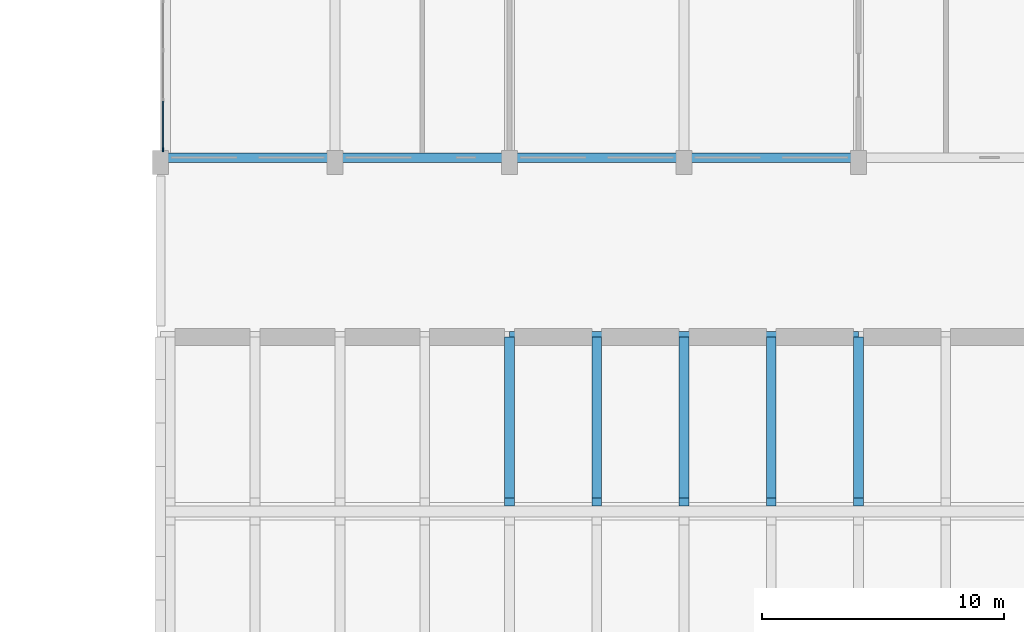
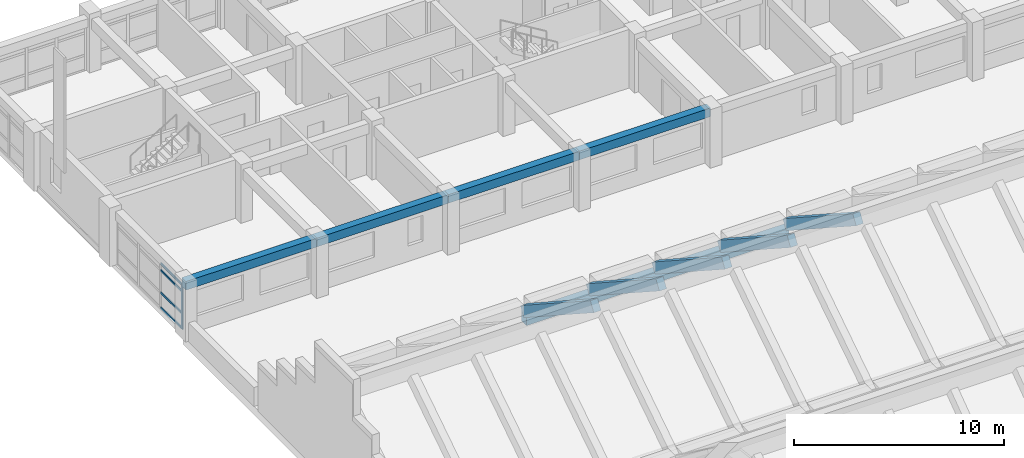
# One storey, part 9 of 31: 10 beams, 5 members, 1 element without a shape of its own.
"""IFC4 building model written with IfcOpenShell, lengths in metres."""

from ifc_helpers import new_model, si_unit, direction, frame, origin, origin_2d, place, context, subcontext, project, spatial, rectangle, extrude, material, material_profile, profile_set, type_object, element, aggregate, save


model = new_model("IFC4")

# Units and contexts
model_context = context("Model", 3, precision=1e-05, world=origin(), true_north=direction((0.0, 1.0)))
body_context = subcontext(model_context, "Body", "Model", "MODEL_VIEW")
ifc_project = project(units=[si_unit("LENGTHUNIT", "METRE"), si_unit("AREAUNIT", "SQUARE_METRE"), si_unit("VOLUMEUNIT", "CUBIC_METRE"), si_unit("PLANEANGLEUNIT", "RADIAN"), si_unit("MASSUNIT", "GRAM", prefix="KILO")], contexts=[model_context])

# Site, building, storey
site_placement = place(None, origin())
site = spatial("IfcSite", under=ifc_project, at=site_placement, CompositionType="ELEMENT")
building_placement = place(site_placement, origin())
building = spatial("IfcBuilding", under=site, at=building_placement, Name="Vermilion Court Aquatics Centre", CompositionType="ELEMENT")
storey_placement = place(building_placement, frame((0.0, 0.0, 16.5)))
storey = spatial("IfcBuildingStorey", under=building, at=storey_placement, Name="L03", CompositionType="ELEMENT", Elevation=16.5)

# Curtain wall, members
ifc_material_1 = material(Name="Aluminium 6063-T5", Category="aluminium")
curtain_wall_type = type_object("IfcCurtainWallType", Name="North block glazed bay curtain wall 1800 module", PredefinedType="NOTDEFINED", material=ifc_material_1)
curtain_wall_placement = place(storey_placement, origin())
curtain_wall = element("IfcCurtainWall", 1, at=curtain_wall_placement, inside=storey, type_object=curtain_wall_type, Name="West glazed bay 1 L03", PredefinedType="NOTDEFINED")
ifc_material_2 = material(Name="Aluminium 6063-T5", Category="aluminium")
ifc_material_profile_1 = material_profile(ifc_material_2, rectangle(XDim=0.06005859375, YDim=0.159912109375, at=origin_2d()), Name="AL 60x160")
ifc_profile_set_1 = profile_set([ifc_material_profile_1], Name="Aluminium 6063-T5")
member_type_1 = type_object("IfcMemberType", Name="North block curtain wall mullion 60x160", PredefinedType="MULLION", material=ifc_profile_set_1)
member_1_placement = place(storey_placement, frame((144.10009765625, 94.1298828125, 0.0), z_axis=(0.0, 0.0, 1.0), x_axis=(-1.0, 0.0, 0.0)))
member_1 = element("IfcMember", 2, at=member_1_placement, type_object=member_type_1, Name="UCW1 mullion 1", PredefinedType="MULLION", context=body_context, shape_type="SweptSolid", body=[
    extrude(rectangle(XDim=0.06005859375, YDim=0.159912109375, at=origin_2d()), origin(), (0.0, 0.0, 1.0), 2.60009765625),
])
ifc_material_3 = material(Name="Aluminium 6063-T5", Category="aluminium")
ifc_material_profile_2 = material_profile(ifc_material_3, rectangle(XDim=0.06005859375, YDim=0.1201171875, at=origin_2d()), Name="AL 60x120")
ifc_profile_set_2 = profile_set([ifc_material_profile_2], Name="Aluminium 6063-T5")
member_type_2 = type_object("IfcMemberType", Name="North block curtain wall transom 60x120", PredefinedType="USERDEFINED", material=ifc_profile_set_2)
member_2_placement = place(storey_placement, frame((144.10009765625, 94.159912109375, 0.030029296875), z_axis=(0.0, 1.0, 0.0), x_axis=(-1.0, 0.0, 0.0)))
member_2 = element("IfcMember", 3, at=member_2_placement, type_object=member_type_2, Name="UCW1 transom 1.1", ObjectType="TRANSOM", PredefinedType="USERDEFINED", context=body_context, shape_type="SweptSolid", body=[
    extrude(rectangle(XDim=0.06005859375, YDim=0.1201171875, at=origin_2d()), origin(), (0.0, 0.0, 1.0), 1.976806640625),
])
member_3_placement = place(storey_placement, frame((144.10009765625, 94.159912109375, 0.89990234375), z_axis=(0.0, 1.0, 0.0), x_axis=(-1.0, 0.0, 0.0)))
member_3 = element("IfcMember", 4, at=member_3_placement, type_object=member_type_2, Name="UCW1 transom 1.2", ObjectType="TRANSOM", PredefinedType="USERDEFINED", context=body_context, shape_type="SweptSolid", body=[
    extrude(rectangle(XDim=0.06005859375, YDim=0.1201171875, at=origin_2d()), origin(), (0.0, 0.0, 1.0), 1.976806640625),
])
member_4_placement = place(storey_placement, frame((144.10009765625, 94.159912109375, 2.199951171875), z_axis=(0.0, 1.0, 0.0), x_axis=(-1.0, 0.0, 0.0)))
member_4 = element("IfcMember", 5, at=member_4_placement, type_object=member_type_2, Name="UCW1 transom 1.3", ObjectType="TRANSOM", PredefinedType="USERDEFINED", context=body_context, shape_type="SweptSolid", body=[
    extrude(rectangle(XDim=0.06005859375, YDim=0.1201171875, at=origin_2d()), origin(), (0.0, 0.0, 1.0), 1.976806640625),
])
member_5_placement = place(storey_placement, frame((144.10009765625, 94.159912109375, 2.570068359375), z_axis=(0.0, 1.0, 0.0), x_axis=(-1.0, 0.0, 0.0)))
member_5 = element("IfcMember", 6, at=member_5_placement, type_object=member_type_2, Name="UCW1 transom 1.4", ObjectType="TRANSOM", PredefinedType="USERDEFINED", context=body_context, shape_type="SweptSolid", body=[
    extrude(rectangle(XDim=0.06005859375, YDim=0.1201171875, at=origin_2d()), origin(), (0.0, 0.0, 1.0), 1.976806640625),
])
aggregate(curtain_wall, [member_1, member_2, member_3, member_4, member_5])

# Beams
ifc_material_4 = material(Name="Concrete 6000 psi", Category="concrete")
ifc_material_profile_3 = material_profile(ifc_material_4, rectangle(XDim=0.39990234375, YDim=0.5, at=origin_2d()), Name="RC 400x500")
ifc_profile_set_3 = profile_set([ifc_material_profile_3], Name="Concrete 6000 psi")
beam_type_1 = type_object("IfcBeamType", Name="North block spandrel beam 400x500", PredefinedType="BEAM", material=ifc_profile_set_3)
for number, where, z_axis, x_axis, name in (
    (7, (144.0, 93.800048828125, 2.85009765625), (1.0, 0.0, 0.0), (0.0, 1.0, 0.0), "Spandrel beam L04 x93.6"),
    (8, (151.199951171875, 93.800048828125, 2.85009765625), (1.0, 0.0, 0.0), (0.0, 1.0, 0.0), "Spandrel beam L04 x93.6"),
):
    element("IfcBeam", number, at=place(storey_placement, frame(where, z_axis=z_axis, x_axis=x_axis)), inside=storey, type_object=beam_type_1, Name=name, PredefinedType="BEAM", context=body_context, shape_type="SweptSolid", body=[
        extrude(rectangle(XDim=0.39990234375, YDim=0.5, at=origin_2d()), origin(), (0.0, 0.0, 1.0), 7.199951171875),
    ])
beam_1_placement = place(storey_placement, frame((158.39990234375, 93.800048828125, 2.85009765625), z_axis=(1.0, 0.0, 0.0), x_axis=(0.0, 1.0, 0.0)))
element("IfcBeam", 9, at=beam_1_placement, inside=storey, type_object=beam_type_1, Name="Spandrel beam L04 x93.6", PredefinedType="BEAM", context=body_context, shape_type="SweptSolid", body=[
    extrude(rectangle(XDim=0.39990234375, YDim=0.5, at=origin_2d()), origin(), (0.0, 0.0, 1.0), 7.2001953125),
])
beam_2_placement = place(storey_placement, frame((165.60009765625, 93.800048828125, 2.85009765625), z_axis=(1.0, 0.0, 0.0), x_axis=(0.0, 1.0, 0.0)))
element("IfcBeam", 10, at=beam_2_placement, inside=storey, type_object=beam_type_1, Name="Spandrel beam L04 x93.6", PredefinedType="BEAM", context=body_context, shape_type="SweptSolid", body=[
    extrude(rectangle(XDim=0.39990234375, YDim=0.5, at=origin_2d()), origin(), (0.0, 0.0, 1.0), 7.199951171875),
])
ifc_material_5 = material(Name="Concrete 5000 psi", Category="concrete")
ifc_material_profile_4 = material_profile(ifc_material_5, rectangle(XDim=0.39990234375, YDim=0.60009765625, at=origin_2d()), Name="RC 400x600")
ifc_profile_set_4 = profile_set([ifc_material_profile_4], Name="Concrete 5000 psi")
beam_type_2 = type_object("IfcBeamType", Name="Podium roof rafter RC 400x600", PredefinedType="BEAM", material=ifc_profile_set_4)
for number, where, z_axis, x_axis, name in (
    (11, (158.39990234375, 86.236083984375, 0.8515625), (0.0, -0.83866661958, 0.544645114916), (1.0, 0.0, 0.0), "Roof rafter"),
    (12, (162.0, 86.236083984375, 0.8515625), (0.0, -0.83866661958, 0.544645114916), (1.0, 0.0, 0.0), "Roof rafter"),
    (13, (165.60009765625, 86.236083984375, 0.8515625), (0.0, -0.83866661958, 0.544645114916), (1.0, 0.0, 0.0), "Roof rafter"),
    (14, (169.199951171875, 86.236083984375, 0.8515625), (0.0, -0.83866661958, 0.544645114916), (1.0, 0.0, 0.0), "Roof rafter"),
    (15, (172.800048828125, 86.236083984375, 0.8515625), (0.0, -0.83866661958, 0.544645114916), (1.0, 0.0, 0.0), "Roof rafter"),
):
    element("IfcBeam", number, at=place(storey_placement, frame(where, z_axis=z_axis, x_axis=x_axis)), inside=storey, type_object=beam_type_2, Name=name, PredefinedType="BEAM", context=body_context, shape_type="SweptSolid", body=[
        extrude(rectangle(XDim=0.39990234375, YDim=0.60009765625, at=origin_2d()), origin(), (0.0, 0.0, 1.0), 7.926513671875),
    ])
ifc_material_6 = material(Name="Concrete 5000 psi", Category="concrete")
ifc_material_profile_5 = material_profile(ifc_material_6, rectangle(XDim=0.449951171875, YDim=0.60009765625, at=origin_2d()), Name="RC 450x600")
ifc_profile_set_5 = profile_set([ifc_material_profile_5], Name="Concrete 5000 psi")
beam_type_3 = type_object("IfcBeamType", Name="Podium roof valley beam RC 450x600", PredefinedType="BEAM", material=ifc_profile_set_5)
beam_3_placement = place(storey_placement, frame((158.39990234375, 86.39990234375, 0.300048828125), z_axis=(1.0, 0.0, 0.0), x_axis=(0.0, 1.0, 0.0)))
element("IfcBeam", 16, at=beam_3_placement, inside=storey, type_object=beam_type_3, Name="Roof valley beam", PredefinedType="BEAM", context=body_context, shape_type="SweptSolid", body=[
    extrude(rectangle(XDim=0.449951171875, YDim=0.60009765625, at=origin_2d()), origin(), (0.0, 0.0, 1.0), 14.400146484375),
])

save(model, "model.ifc")
